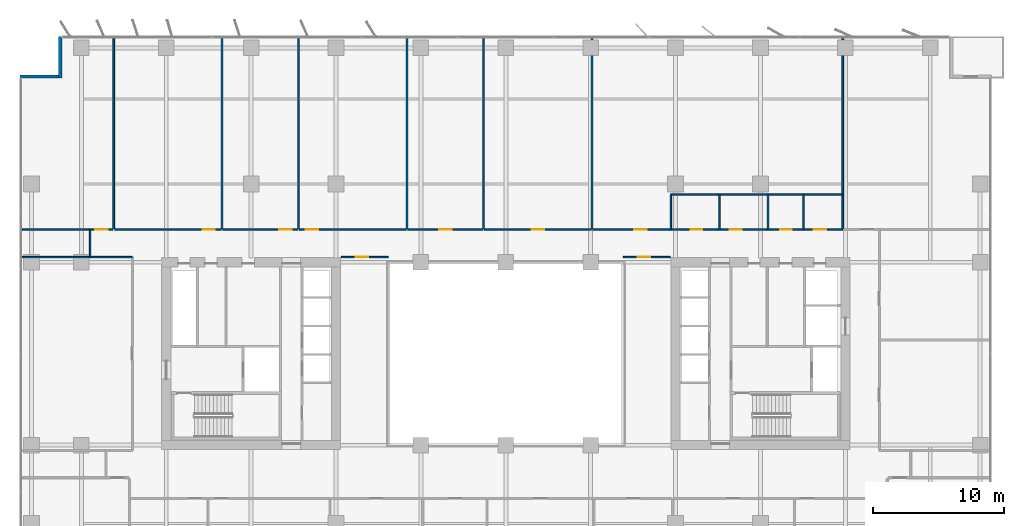
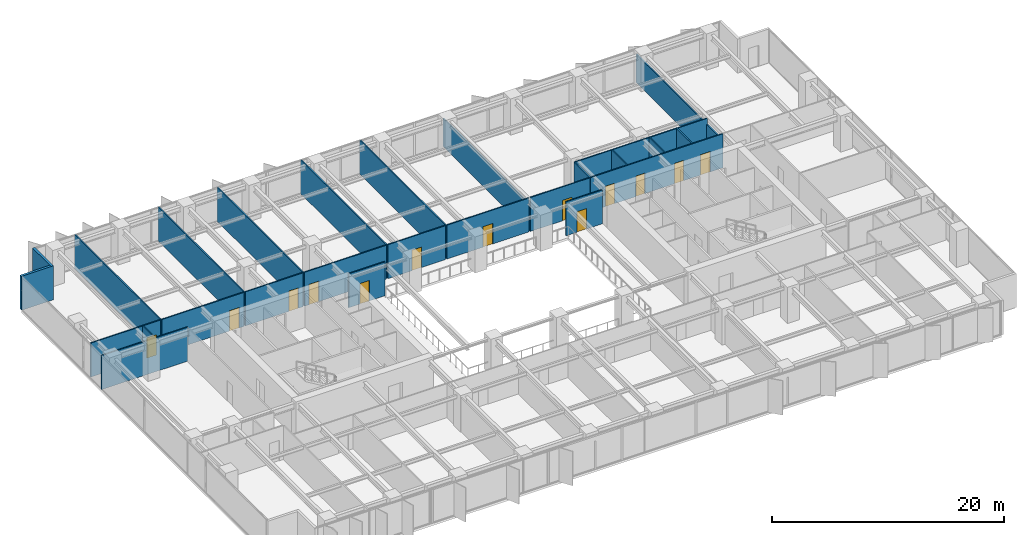
# One storey, part 15 of 20: 26 walls, 13 doors, 13 openings.
"""IFC4 building model written with IfcOpenShell, lengths in metres."""

from ifc_helpers import new_model, si_unit, direction, frame, frame_2d, origin, place, context, subcontext, project, spatial, rectangle, extrude, material, layer, layer_set, type_object, element, fill, save


model = new_model("IFC4")

# Units and contexts
model_context = context("Model", 3, precision=1e-05, world=origin(), true_north=direction((0.0, 1.0)))
body_context = subcontext(model_context, "Body", "Model", "MODEL_VIEW")
ifc_project = project(units=[si_unit("LENGTHUNIT", "METRE"), si_unit("AREAUNIT", "SQUARE_METRE"), si_unit("VOLUMEUNIT", "CUBIC_METRE"), si_unit("PLANEANGLEUNIT", "RADIAN"), si_unit("MASSUNIT", "GRAM", prefix="KILO")], contexts=[model_context])

# Site, building, storey
site_placement = place(None, origin())
site = spatial("IfcSite", under=ifc_project, at=site_placement, CompositionType="ELEMENT")
building_placement = place(site_placement, origin())
building = spatial("IfcBuilding", under=site, at=building_placement, Name="Putna Gate Headquarters", CompositionType="ELEMENT")
storey_placement = place(building_placement, frame((0.0, 0.0, 131.60009765625)))
storey = spatial("IfcBuildingStorey", under=building, at=storey_placement, Name="L32", CompositionType="ELEMENT", Elevation=131.60009765625)

# Walls
ifc_material_1 = material(Name="Precast concrete C40/50", Category="concrete")
ifc_layer_1 = layer(ifc_material_1, 0.239990234375)
ifc_layer_set_1 = layer_set([ifc_layer_1], Name="Precast concrete C40/50")
wall_type_1 = type_object("IfcWallType", Name="WALL-EXT-TERR-240", PredefinedType="STANDARD", material=ifc_layer_set_1)
for number, where, z_axis, x_axis, name in (
    (1, (4.8798828125, 47.10009765625, 0.0), (0.0, 0.0, 1.0), (0.0, 1.0, 0.0), "L32 Corner Notch Return Wall NW-V"),
    (2, (1.800048828125, 47.219970703125, 0.0), (0.0, 0.0, 1.0), (1.0, 0.0, 0.0), "L32 Corner Notch Return Wall NW-H"),
):
    element("IfcWall", number, at=place(storey_placement, frame(where, z_axis=z_axis, x_axis=x_axis)), inside=storey, type_object=wall_type_1, Name=name, PredefinedType="STANDARD", context=body_context, shape_type="SweptSolid", body=[
        extrude(rectangle(XDim=3.199951171875, YDim=0.239990234375, at=frame_2d((1.60009765625, 0.0))), origin(), (0.0, 0.0, 1.0), 3.56494140625),
    ])

# Wall, opening, door
ifc_material_2 = material(Name="Acoustic gypsum board on metal stud")
ifc_layer_2 = layer(ifc_material_2, 0.1201171875)
ifc_layer_set_2 = layer_set([ifc_layer_2], Name="Acoustic gypsum board on metal stud")
wall_type_2 = type_object("IfcWallType", Name="WALL-PART-120", PredefinedType="PARTITIONING", material=ifc_layer_set_2)
wall_1_placement = place(storey_placement, frame((26.39990234375, 33.39990234375, 0.0), z_axis=(0.0, 0.0, 1.0), x_axis=(1.0, 0.0, 0.0)))
wall_1 = element("IfcWall", 3, at=wall_1_placement, inside=storey, type_object=wall_type_2, Name="L32 Interior Wall PART-L32-ATR-W-N", PredefinedType="PARTITIONING", context=body_context, shape_type="SweptSolid", body=[
    extrude(rectangle(XDim=3.60009765625, YDim=0.1201171875, at=frame_2d((1.800048828125, 0.0))), origin(), (0.0, 0.0, 1.0), 3.56494140625),
])
opening_1_placement = place(wall_1_placement, frame((1.10009765625, 0.0, 0.0)))
opening_1 = element("IfcOpeningElement", 4, at=opening_1_placement, cuts=wall_1, Name="Opening ID-95", PredefinedType="OPENING", context=body_context, shape_type="SweptSolid", body=[
    extrude(rectangle(XDim=0.949951171875, YDim=2.14990234375, at=frame_2d((0.47509765625, 1.074951171875))), frame((0.0, 0.070068359375, 0.0), z_axis=(0.0, -1.0, 0.0), x_axis=(1.0, 0.0, 0.0)), (0.0, 0.0, 1.0), 0.14013671875),
])
ifc_material_3 = material(Name="Veneered acoustic timber door", Category="wood")
door_type_1 = type_object("IfcDoorType", Name="DOOR-OFF-950", OperationType="NOTDEFINED", PredefinedType="DOOR", material=ifc_material_3)
door_1_placement = place(opening_1_placement, origin())
door_1 = element("IfcDoor", 5, at=door_1_placement, inside=storey, type_object=door_type_1, Name="L32 West Atrium Lounge Door", OperationType="SINGLE_SWING_LEFT", OverallHeight=2.14990234375, OverallWidth=0.949951171875, PredefinedType="DOOR", context=body_context, shape_type="SweptSolid", body=[
    extrude(rectangle(XDim=0.949951171875, YDim=2.14990234375, at=frame_2d((0.47509765625, 1.074951171875))), frame((0.0, 0.02490234375, 0.0), z_axis=(0.0, -1.0, 0.0), x_axis=(1.0, 0.0, 0.0)), (0.0, 0.0, 1.0), 0.050048828125),
])
fill(opening_1, door_1)

wall_2_placement = place(storey_placement, frame((48.0, 33.39990234375, 0.0), z_axis=(0.0, 0.0, 1.0), x_axis=(1.0, 0.0, 0.0)))
wall_2 = element("IfcWall", 6, at=wall_2_placement, inside=storey, type_object=wall_type_2, Name="L32 Interior Wall PART-L32-ATR-E-N", PredefinedType="PARTITIONING", context=body_context, shape_type="SweptSolid", body=[
    extrude(rectangle(XDim=3.60009765625, YDim=0.1201171875, at=frame_2d((1.800048828125, 0.0))), origin(), (0.0, 0.0, 1.0), 3.56494140625),
])
opening_2_placement = place(wall_2_placement, frame((1.10009765625, 0.0, 0.0)))
opening_2 = element("IfcOpeningElement", 7, at=opening_2_placement, cuts=wall_2, Name="Opening ID-95", PredefinedType="OPENING", context=body_context, shape_type="SweptSolid", body=[
    extrude(rectangle(XDim=0.949951171875, YDim=2.14990234375, at=frame_2d((0.47509765625, 1.074951171875))), frame((0.0, 0.070068359375, 0.0), z_axis=(0.0, -1.0, 0.0), x_axis=(1.0, 0.0, 0.0)), (0.0, 0.0, 1.0), 0.14013671875),
])
door_2_placement = place(opening_2_placement, origin())
door_2 = element("IfcDoor", 8, at=door_2_placement, inside=storey, type_object=door_type_1, Name="L32 East Atrium Lounge Door", OperationType="SINGLE_SWING_RIGHT", OverallHeight=2.14990234375, OverallWidth=0.949951171875, PredefinedType="DOOR", context=body_context, shape_type="SweptSolid", body=[
    extrude(rectangle(XDim=0.949951171875, YDim=2.14990234375, at=frame_2d((0.47509765625, 1.074951171875))), frame((0.0, 0.02490234375, 0.0), z_axis=(0.0, -1.0, 0.0), x_axis=(1.0, 0.0, 0.0)), (0.0, 0.0, 1.0), 0.050048828125),
])
fill(opening_2, door_2)

# Walls
for number, where, z_axis, x_axis, name in (
    (9, (8.9765625, 35.56005859375, 0.0), (0.0, 0.0, 1.0), (0.0, 1.0, 0.0), "L32 Interior Wall PART-L32-NB-DIV-01"),
    (10, (17.2685546875, 35.56005859375, 0.0), (0.0, 0.0, 1.0), (0.0, 1.0, 0.0), "L32 Interior Wall PART-L32-NB-DIV-02"),
    (11, (23.14208984375, 35.56005859375, 0.0), (0.0, 0.0, 1.0), (0.0, 1.0, 0.0), "L32 Interior Wall PART-L32-NB-DIV-03"),
    (12, (31.434326171875, 35.56005859375, 0.0), (0.0, 0.0, 1.0), (0.0, 1.0, 0.0), "L32 Interior Wall PART-L32-NB-DIV-04"),
    (13, (37.307861328125, 35.56005859375, 0.0), (0.0, 0.0, 1.0), (0.0, 1.0, 0.0), "L32 Interior Wall PART-L32-NB-DIV-05"),
):
    element("IfcWall", number, at=place(storey_placement, frame(where, z_axis=z_axis, x_axis=x_axis)), inside=storey, type_object=wall_type_2, Name=name, PredefinedType="PARTITIONING", context=body_context, shape_type="SweptSolid", body=[
        extrude(rectangle(XDim=14.719970703125, YDim=0.1201171875, at=frame_2d((7.35986328125, 0.0))), origin(), (0.0, 0.0, 1.0), 3.56494140625),
    ])
for number, where, z_axis, x_axis, name in (
    (14, (45.60009765625, 35.56005859375, 0.0), (0.0, 0.0, 1.0), (0.0, 1.0, 0.0), "L32 Interior Wall PART-L32-NB-DIV-06"),
    (15, (64.800048828125, 35.56005859375, 0.0), (0.0, 0.0, 1.0), (0.0, 1.0, 0.0), "L32 Interior Wall PART-L32-NB-DIV-07"),
):
    element("IfcWall", number, at=place(storey_placement, frame(where, z_axis=z_axis, x_axis=x_axis)), inside=storey, type_object=wall_type_2, Name=name, PredefinedType="PARTITIONING", context=body_context, shape_type="SweptSolid", body=[
        extrude(rectangle(XDim=14.719970703125, YDim=0.1201171875, at=frame_2d((7.35986328125, 0.0))), origin(), (0.0, 0.0, 1.0), 2.96484375),
    ])
ifc_material_4 = material(Name="Fire-rated gypsum board on metal stud")
ifc_layer_3 = layer(ifc_material_4, 0.1201171875)
ifc_layer_set_3 = layer_set([ifc_layer_3], Name="Fire-rated gypsum board on metal stud")
wall_type_3 = type_object("IfcWallType", Name="WALL-PART-120-RATED", PredefinedType="PARTITIONING", material=ifc_layer_set_3)
wall_3_placement = place(storey_placement, frame((7.176513671875, 33.39990234375, 0.0), z_axis=(0.0, 0.0, 1.0), x_axis=(0.0, 1.0, 0.0)))
element("IfcWall", 16, at=wall_3_placement, inside=storey, type_object=wall_type_3, Name="L32 Interior Wall PART-L32-CORRN-CAPW", PredefinedType="PARTITIONING", context=body_context, shape_type="SweptSolid", body=[
    extrude(rectangle(XDim=2.10009765625, YDim=0.1201171875, at=frame_2d((1.050048828125, 0.0))), origin(), (0.0, 0.0, 1.0), 3.56494140625),
])

# Wall, openings, doors
wall_4_placement = place(storey_placement, frame((51.639892578125, 35.5, 0.0), z_axis=(0.0, 0.0, 1.0), x_axis=(1.0, 0.0, 0.0)))
wall_4 = element("IfcWall", 17, at=wall_4_placement, inside=storey, type_object=wall_type_3, Name="L32 Interior Wall PART-L32-SAN-CW", PredefinedType="PARTITIONING", context=body_context, shape_type="SweptSolid", body=[
    extrude(rectangle(XDim=13.16015625, YDim=0.1201171875, at=frame_2d((6.580078125, 0.0))), origin(), (0.0, 0.0, 1.0), 3.56494140625),
])
opening_3_placement = place(wall_4_placement, frame((1.510009765625, 0.0, 0.0)))
opening_3 = element("IfcOpeningElement", 18, at=opening_3_placement, cuts=wall_4, Name="Opening FD-90", PredefinedType="OPENING", context=body_context, shape_type="SweptSolid", body=[
    extrude(rectangle(XDim=0.89990234375, YDim=2.14990234375, at=frame_2d((0.449951171875, 1.074951171875))), frame((0.0, 0.070068359375, 0.0), z_axis=(0.0, -1.0, 0.0), x_axis=(1.0, 0.0, 0.0)), (0.0, 0.0, 1.0), 0.14013671875),
])
opening_4_placement = place(wall_4_placement, frame((4.510009765625, 0.0, 0.0)))
opening_4 = element("IfcOpeningElement", 19, at=opening_4_placement, cuts=wall_4, Name="Opening FD-90", PredefinedType="OPENING", context=body_context, shape_type="SweptSolid", body=[
    extrude(rectangle(XDim=0.89990234375, YDim=2.14990234375, at=frame_2d((0.449951171875, 1.074951171875))), frame((0.0, 0.070068359375, 0.0), z_axis=(0.0, -1.0, 0.0), x_axis=(1.0, 0.0, 0.0)), (0.0, 0.0, 1.0), 0.14013671875),
])
opening_5_placement = place(wall_4_placement, frame((8.360107421875, 0.0, 0.0)))
opening_5 = element("IfcOpeningElement", 20, at=opening_5_placement, cuts=wall_4, Name="Opening FD-90", PredefinedType="OPENING", context=body_context, shape_type="SweptSolid", body=[
    extrude(rectangle(XDim=0.89990234375, YDim=2.14990234375, at=frame_2d((0.449951171875, 1.074951171875))), frame((0.0, 0.070068359375, 0.0), z_axis=(0.0, -1.0, 0.0), x_axis=(1.0, 0.0, 0.0)), (0.0, 0.0, 1.0), 0.14013671875),
])
opening_6_placement = place(wall_4_placement, frame((10.9599609375, 0.0, 0.0)))
opening_6 = element("IfcOpeningElement", 21, at=opening_6_placement, cuts=wall_4, Name="Opening FD-95", PredefinedType="OPENING", context=body_context, shape_type="SweptSolid", body=[
    extrude(rectangle(XDim=0.949951171875, YDim=2.14990234375, at=frame_2d((0.47509765625, 1.074951171875))), frame((0.0, 0.070068359375, 0.0), z_axis=(0.0, -1.0, 0.0), x_axis=(1.0, 0.0, 0.0)), (0.0, 0.0, 1.0), 0.14013671875),
])
ifc_material_5 = material(Name="Acoustic washroom fire door")
door_type_2 = type_object("IfcDoorType", Name="DOOR-FIRE-900", OperationType="NOTDEFINED", PredefinedType="DOOR", material=ifc_material_5)
door_3_placement = place(opening_3_placement, origin())
door_3 = element("IfcDoor", 22, at=door_3_placement, inside=storey, type_object=door_type_2, Name="L32 Washroom Male Door", OperationType="SINGLE_SWING_LEFT", OverallHeight=2.14990234375, OverallWidth=0.89990234375, PredefinedType="DOOR", context=body_context, shape_type="SweptSolid", body=[
    extrude(rectangle(XDim=0.89990234375, YDim=2.14990234375, at=frame_2d((0.449951171875, 1.074951171875))), frame((0.0, 0.02490234375, 0.0), z_axis=(0.0, -1.0, 0.0), x_axis=(1.0, 0.0, 0.0)), (0.0, 0.0, 1.0), 0.050048828125),
])
fill(opening_3, door_3)
door_4_placement = place(opening_4_placement, origin())
door_4 = element("IfcDoor", 23, at=door_4_placement, inside=storey, type_object=door_type_2, Name="L32 Washroom Female Door", OperationType="SINGLE_SWING_RIGHT", OverallHeight=2.14990234375, OverallWidth=0.89990234375, PredefinedType="DOOR", context=body_context, shape_type="SweptSolid", body=[
    extrude(rectangle(XDim=0.89990234375, YDim=2.14990234375, at=frame_2d((0.449951171875, 1.074951171875))), frame((0.0, 0.02490234375, 0.0), z_axis=(0.0, -1.0, 0.0), x_axis=(1.0, 0.0, 0.0)), (0.0, 0.0, 1.0), 0.050048828125),
])
fill(opening_4, door_4)
door_5_placement = place(opening_5_placement, origin())
door_5 = element("IfcDoor", 24, at=door_5_placement, inside=storey, type_object=door_type_2, Name="L32 Accessible WC Door", OperationType="SINGLE_SWING_LEFT", OverallHeight=2.14990234375, OverallWidth=0.89990234375, PredefinedType="DOOR", context=body_context, shape_type="SweptSolid", body=[
    extrude(rectangle(XDim=0.89990234375, YDim=2.14990234375, at=frame_2d((0.449951171875, 1.074951171875))), frame((0.0, 0.02490234375, 0.0), z_axis=(0.0, -1.0, 0.0), x_axis=(1.0, 0.0, 0.0)), (0.0, 0.0, 1.0), 0.050048828125),
])
fill(opening_5, door_5)
ifc_material_6 = material(Name="Acoustic timber fire door", Category="wood")
door_type_3 = type_object("IfcDoorType", Name="DOOR-FIRE-950", OperationType="NOTDEFINED", PredefinedType="DOOR", material=ifc_material_6)
door_6_placement = place(opening_6_placement, origin())
door_6 = element("IfcDoor", 25, at=door_6_placement, inside=storey, type_object=door_type_3, Name="L32 Staff Pantry and Tea Point Door", OperationType="SINGLE_SWING_RIGHT", OverallHeight=2.14990234375, OverallWidth=0.949951171875, PredefinedType="DOOR", context=body_context, shape_type="SweptSolid", body=[
    extrude(rectangle(XDim=0.949951171875, YDim=2.14990234375, at=frame_2d((0.47509765625, 1.074951171875))), frame((0.0, 0.02490234375, 0.0), z_axis=(0.0, -1.0, 0.0), x_axis=(1.0, 0.0, 0.0)), (0.0, 0.0, 1.0), 0.050048828125),
])
fill(opening_6, door_6)

# Walls
wall_5_placement = place(storey_placement, frame((51.639892578125, 38.179931640625, 0.0), z_axis=(0.0, 0.0, 1.0), x_axis=(1.0, 0.0, 0.0)))
element("IfcWall", 26, at=wall_5_placement, inside=storey, type_object=wall_type_3, Name="L32 Interior Wall PART-L32-SAN-BACK", PredefinedType="PARTITIONING", context=body_context, shape_type="SweptSolid", body=[
    extrude(rectangle(XDim=13.16015625, YDim=0.1201171875, at=frame_2d((6.580078125, 0.0))), origin(), (0.0, 0.0, 1.0), 3.56494140625),
])
for number, where, z_axis, x_axis, name in (
    (27, (51.639892578125, 35.5, 0.0), (0.0, 0.0, 1.0), (0.0, 1.0, 0.0), "L32 Interior Wall PART-L32-SAN-DIV-1"),
    (28, (55.360107421875, 35.5, 0.0), (0.0, 0.0, 1.0), (0.0, 1.0, 0.0), "L32 Interior Wall PART-L32-SAN-DIV-2"),
    (29, (59.080078125, 35.5, 0.0), (0.0, 0.0, 1.0), (0.0, 1.0, 0.0), "L32 Interior Wall PART-L32-SAN-DIV-3"),
    (30, (61.800048828125, 35.5, 0.0), (0.0, 0.0, 1.0), (0.0, 1.0, 0.0), "L32 Interior Wall PART-L32-SAN-DIV-4"),
):
    element("IfcWall", number, at=place(storey_placement, frame(where, z_axis=z_axis, x_axis=x_axis)), inside=storey, type_object=wall_type_3, Name=name, PredefinedType="PARTITIONING", context=body_context, shape_type="SweptSolid", body=[
        extrude(rectangle(XDim=2.679931640625, YDim=0.1201171875, at=frame_2d((1.33984375, 0.0))), origin(), (0.0, 0.0, 1.0), 3.56494140625),
    ])

# Wall, opening, door
wall_6_placement = place(storey_placement, frame((1.97998046875, 35.5, 0.0), z_axis=(0.0, 0.0, 1.0), x_axis=(1.0, 0.0, 0.0)))
wall_6 = element("IfcWall", 31, at=wall_6_placement, inside=storey, type_object=wall_type_3, Name="L32 Interior Wall PART-L32-NB-CW-01", PredefinedType="PARTITIONING", context=body_context, shape_type="SweptSolid", body=[
    extrude(rectangle(XDim=6.9365234375, YDim=0.1201171875, at=frame_2d((3.46826171875, 0.0))), origin(), (0.0, 0.0, 1.0), 3.56494140625),
])
opening_7_placement = place(wall_6_placement, frame((5.591552734375, 0.0, 0.0)))
opening_7 = element("IfcOpeningElement", 32, at=opening_7_placement, cuts=wall_6, Name="Opening FD-95", PredefinedType="OPENING", context=body_context, shape_type="SweptSolid", body=[
    extrude(rectangle(XDim=0.949951171875, YDim=2.14990234375, at=frame_2d((0.47509765625, 1.074951171875))), frame((0.0, 0.070068359375, 0.0), z_axis=(0.0, -1.0, 0.0), x_axis=(1.0, 0.0, 0.0)), (0.0, 0.0, 1.0), 0.14013671875),
])
door_7_placement = place(opening_7_placement, origin())
door_7 = element("IfcDoor", 33, at=door_7_placement, inside=storey, type_object=door_type_3, Name="L32 Conference Meeting Room 7 Door", OperationType="SINGLE_SWING_LEFT", OverallHeight=2.14990234375, OverallWidth=0.949951171875, PredefinedType="DOOR", context=body_context, shape_type="SweptSolid", body=[
    extrude(rectangle(XDim=0.949951171875, YDim=2.14990234375, at=frame_2d((0.47509765625, 1.074951171875))), frame((0.0, 0.02490234375, 0.0), z_axis=(0.0, -1.0, 0.0), x_axis=(1.0, 0.0, 0.0)), (0.0, 0.0, 1.0), 0.050048828125),
])
fill(opening_7, door_7)

wall_7_placement = place(storey_placement, frame((9.03662109375, 35.5, 0.0), z_axis=(0.0, 0.0, 1.0), x_axis=(1.0, 0.0, 0.0)))
wall_7 = element("IfcWall", 34, at=wall_7_placement, inside=storey, type_object=wall_type_3, Name="L32 Interior Wall PART-L32-NB-CW-02", PredefinedType="PARTITIONING", context=body_context, shape_type="SweptSolid", body=[
    extrude(rectangle(XDim=8.171875, YDim=0.1201171875, at=frame_2d((4.0859375, 0.0))), origin(), (0.0, 0.0, 1.0), 3.56494140625),
])
opening_8_placement = place(wall_7_placement, frame((6.7421875, 0.0, 0.0)))
opening_8 = element("IfcOpeningElement", 35, at=opening_8_placement, cuts=wall_7, Name="Opening FD-95", PredefinedType="OPENING", context=body_context, shape_type="SweptSolid", body=[
    extrude(rectangle(XDim=0.949951171875, YDim=2.14990234375, at=frame_2d((0.47509765625, 1.074951171875))), frame((0.0, 0.070068359375, 0.0), z_axis=(0.0, -1.0, 0.0), x_axis=(1.0, 0.0, 0.0)), (0.0, 0.0, 1.0), 0.14013671875),
])
door_8_placement = place(opening_8_placement, origin())
door_8 = element("IfcDoor", 36, at=door_8_placement, inside=storey, type_object=door_type_3, Name="L32 Quiet Wellness Focus Studio 1 Door", OperationType="SINGLE_SWING_RIGHT", OverallHeight=2.14990234375, OverallWidth=0.949951171875, PredefinedType="DOOR", context=body_context, shape_type="SweptSolid", body=[
    extrude(rectangle(XDim=0.949951171875, YDim=2.14990234375, at=frame_2d((0.47509765625, 1.074951171875))), frame((0.0, 0.02490234375, 0.0), z_axis=(0.0, -1.0, 0.0), x_axis=(1.0, 0.0, 0.0)), (0.0, 0.0, 1.0), 0.050048828125),
])
fill(opening_8, door_8)

wall_8_placement = place(storey_placement, frame((17.32861328125, 35.5, 0.0), z_axis=(0.0, 0.0, 1.0), x_axis=(1.0, 0.0, 0.0)))
wall_8 = element("IfcWall", 37, at=wall_8_placement, inside=storey, type_object=wall_type_3, Name="L32 Interior Wall PART-L32-NB-CW-03", PredefinedType="PARTITIONING", context=body_context, shape_type="SweptSolid", body=[
    extrude(rectangle(XDim=5.753662109375, YDim=0.1201171875, at=frame_2d((2.876953125, 0.0))), origin(), (0.0, 0.0, 1.0), 3.56494140625),
])
opening_9_placement = place(wall_8_placement, frame((4.323486328125, 0.0, 0.0)))
opening_9 = element("IfcOpeningElement", 38, at=opening_9_placement, cuts=wall_8, Name="Opening FD-95", PredefinedType="OPENING", context=body_context, shape_type="SweptSolid", body=[
    extrude(rectangle(XDim=0.949951171875, YDim=2.14990234375, at=frame_2d((0.47509765625, 1.074951171875))), frame((0.0, 0.070068359375, 0.0), z_axis=(0.0, -1.0, 0.0), x_axis=(1.0, 0.0, 0.0)), (0.0, 0.0, 1.0), 0.14013671875),
])
door_9_placement = place(opening_9_placement, origin())
door_9 = element("IfcDoor", 39, at=door_9_placement, inside=storey, type_object=door_type_3, Name="L32 Quiet Wellness Focus Studio 2 Door", OperationType="SINGLE_SWING_LEFT", OverallHeight=2.14990234375, OverallWidth=0.949951171875, PredefinedType="DOOR", context=body_context, shape_type="SweptSolid", body=[
    extrude(rectangle(XDim=0.949951171875, YDim=2.14990234375, at=frame_2d((0.47509765625, 1.074951171875))), frame((0.0, 0.02490234375, 0.0), z_axis=(0.0, -1.0, 0.0), x_axis=(1.0, 0.0, 0.0)), (0.0, 0.0, 1.0), 0.050048828125),
])
fill(opening_9, door_9)

wall_9_placement = place(storey_placement, frame((23.2021484375, 35.5, 0.0), z_axis=(0.0, 0.0, 1.0), x_axis=(1.0, 0.0, 0.0)))
wall_9 = element("IfcWall", 40, at=wall_9_placement, inside=storey, type_object=wall_type_3, Name="L32 Interior Wall PART-L32-NB-CW-04", PredefinedType="PARTITIONING", context=body_context, shape_type="SweptSolid", body=[
    extrude(rectangle(XDim=8.172119140625, YDim=0.1201171875, at=frame_2d((4.0859375, 0.0))), origin(), (0.0, 0.0, 1.0), 3.56494140625),
])
opening_10_placement = place(wall_9_placement, frame((0.47998046875, 0.0, 0.0)))
opening_10 = element("IfcOpeningElement", 41, at=opening_10_placement, cuts=wall_9, Name="Opening FD-95", PredefinedType="OPENING", context=body_context, shape_type="SweptSolid", body=[
    extrude(rectangle(XDim=0.949951171875, YDim=2.14990234375, at=frame_2d((0.47509765625, 1.074951171875))), frame((0.0, 0.070068359375, 0.0), z_axis=(0.0, -1.0, 0.0), x_axis=(1.0, 0.0, 0.0)), (0.0, 0.0, 1.0), 0.14013671875),
])
door_10_placement = place(opening_10_placement, origin())
door_10 = element("IfcDoor", 42, at=door_10_placement, inside=storey, type_object=door_type_3, Name="L32 Quiet Wellness Focus Studio 3 Door", OperationType="SINGLE_SWING_RIGHT", OverallHeight=2.14990234375, OverallWidth=0.949951171875, PredefinedType="DOOR", context=body_context, shape_type="SweptSolid", body=[
    extrude(rectangle(XDim=0.949951171875, YDim=2.14990234375, at=frame_2d((0.47509765625, 1.074951171875))), frame((0.0, 0.02490234375, 0.0), z_axis=(0.0, -1.0, 0.0), x_axis=(1.0, 0.0, 0.0)), (0.0, 0.0, 1.0), 0.050048828125),
])
fill(opening_10, door_10)

wall_10_placement = place(storey_placement, frame((31.494384765625, 35.5, 0.0), z_axis=(0.0, 0.0, 1.0), x_axis=(1.0, 0.0, 0.0)))
wall_10 = element("IfcWall", 43, at=wall_10_placement, inside=storey, type_object=wall_type_3, Name="L32 Interior Wall PART-L32-NB-CW-05", PredefinedType="PARTITIONING", context=body_context, shape_type="SweptSolid", body=[
    extrude(rectangle(XDim=5.75341796875, YDim=0.1201171875, at=frame_2d((2.876708984375, 0.0))), origin(), (0.0, 0.0, 1.0), 3.56494140625),
])
opening_11_placement = place(wall_10_placement, frame((2.40185546875, 0.0, 0.0)))
opening_11 = element("IfcOpeningElement", 44, at=opening_11_placement, cuts=wall_10, Name="Opening FD-95", PredefinedType="OPENING", context=body_context, shape_type="SweptSolid", body=[
    extrude(rectangle(XDim=0.949951171875, YDim=2.14990234375, at=frame_2d((0.47509765625, 1.074951171875))), frame((0.0, 0.070068359375, 0.0), z_axis=(0.0, -1.0, 0.0), x_axis=(1.0, 0.0, 0.0)), (0.0, 0.0, 1.0), 0.14013671875),
])
door_11_placement = place(opening_11_placement, origin())
door_11 = element("IfcDoor", 45, at=door_11_placement, inside=storey, type_object=door_type_3, Name="L32 Cellular Office 1 Door", OperationType="SINGLE_SWING_LEFT", OverallHeight=2.14990234375, OverallWidth=0.949951171875, PredefinedType="DOOR", context=body_context, shape_type="SweptSolid", body=[
    extrude(rectangle(XDim=0.949951171875, YDim=2.14990234375, at=frame_2d((0.47509765625, 1.074951171875))), frame((0.0, 0.02490234375, 0.0), z_axis=(0.0, -1.0, 0.0), x_axis=(1.0, 0.0, 0.0)), (0.0, 0.0, 1.0), 0.050048828125),
])
fill(opening_11, door_11)

wall_11_placement = place(storey_placement, frame((37.367919921875, 35.5, 0.0), z_axis=(0.0, 0.0, 1.0), x_axis=(1.0, 0.0, 0.0)))
wall_11 = element("IfcWall", 46, at=wall_11_placement, inside=storey, type_object=wall_type_3, Name="L32 Interior Wall PART-L32-NB-CW-06", PredefinedType="PARTITIONING", context=body_context, shape_type="SweptSolid", body=[
    extrude(rectangle(XDim=8.172119140625, YDim=0.1201171875, at=frame_2d((4.0859375, 0.0))), origin(), (0.0, 0.0, 1.0), 3.56494140625),
])
opening_12_placement = place(wall_11_placement, frame((3.611083984375, 0.0, 0.0)))
opening_12 = element("IfcOpeningElement", 47, at=opening_12_placement, cuts=wall_11, Name="Opening FD-95", PredefinedType="OPENING", context=body_context, shape_type="SweptSolid", body=[
    extrude(rectangle(XDim=0.949951171875, YDim=2.14990234375, at=frame_2d((0.47509765625, 1.074951171875))), frame((0.0, 0.070068359375, 0.0), z_axis=(0.0, -1.0, 0.0), x_axis=(1.0, 0.0, 0.0)), (0.0, 0.0, 1.0), 0.14013671875),
])
door_12_placement = place(opening_12_placement, origin())
door_12 = element("IfcDoor", 48, at=door_12_placement, inside=storey, type_object=door_type_3, Name="L32 Cellular Office 2 Door", OperationType="SINGLE_SWING_RIGHT", OverallHeight=2.14990234375, OverallWidth=0.949951171875, PredefinedType="DOOR", context=body_context, shape_type="SweptSolid", body=[
    extrude(rectangle(XDim=0.949951171875, YDim=2.14990234375, at=frame_2d((0.47509765625, 1.074951171875))), frame((0.0, 0.02490234375, 0.0), z_axis=(0.0, -1.0, 0.0), x_axis=(1.0, 0.0, 0.0)), (0.0, 0.0, 1.0), 0.050048828125),
])
fill(opening_12, door_12)

wall_12_placement = place(storey_placement, frame((45.659912109375, 35.5, 0.0), z_axis=(0.0, 0.0, 1.0), x_axis=(1.0, 0.0, 0.0)))
wall_12 = element("IfcWall", 49, at=wall_12_placement, inside=storey, type_object=wall_type_3, Name="L32 Interior Wall PART-L32-NB-CW-07", PredefinedType="PARTITIONING", context=body_context, shape_type="SweptSolid", body=[
    extrude(rectangle(XDim=5.920166015625, YDim=0.1201171875, at=frame_2d((2.9599609375, 0.0))), origin(), (0.0, 0.0, 1.0), 3.56494140625),
])
opening_13_placement = place(wall_12_placement, frame((3.194091796875, 0.0, 0.0)))
opening_13 = element("IfcOpeningElement", 50, at=opening_13_placement, cuts=wall_12, Name="Opening FD-95", PredefinedType="OPENING", context=body_context, shape_type="SweptSolid", body=[
    extrude(rectangle(XDim=0.949951171875, YDim=2.14990234375, at=frame_2d((0.47509765625, 1.074951171875))), frame((0.0, 0.070068359375, 0.0), z_axis=(0.0, -1.0, 0.0), x_axis=(1.0, 0.0, 0.0)), (0.0, 0.0, 1.0), 0.14013671875),
])
door_13_placement = place(opening_13_placement, origin())
door_13 = element("IfcDoor", 51, at=door_13_placement, inside=storey, type_object=door_type_3, Name="L32 Primary Open Office Workplace Door", OperationType="SINGLE_SWING_LEFT", OverallHeight=2.14990234375, OverallWidth=0.949951171875, PredefinedType="DOOR", context=body_context, shape_type="SweptSolid", body=[
    extrude(rectangle(XDim=0.949951171875, YDim=2.14990234375, at=frame_2d((0.47509765625, 1.074951171875))), frame((0.0, 0.02490234375, 0.0), z_axis=(0.0, -1.0, 0.0), x_axis=(1.0, 0.0, 0.0)), (0.0, 0.0, 1.0), 0.050048828125),
])
fill(opening_13, door_13)

# Wall
wall_13_placement = place(storey_placement, frame((1.820068359375, 33.39990234375, 0.0), z_axis=(0.0, 0.0, 1.0), x_axis=(1.0, 0.0, 0.0)))
element("IfcWall", 52, at=wall_13_placement, inside=storey, type_object=wall_type_3, Name="L32 Interior Wall PART-L32-WW-N-BOUND", PredefinedType="PARTITIONING", context=body_context, shape_type="SweptSolid", body=[
    extrude(rectangle(XDim=8.579833984375, YDim=0.1201171875, at=frame_2d((4.2900390625, 0.0))), origin(), (0.0, 0.0, 1.0), 3.56494140625),
])

save(model, "model.ifc")
